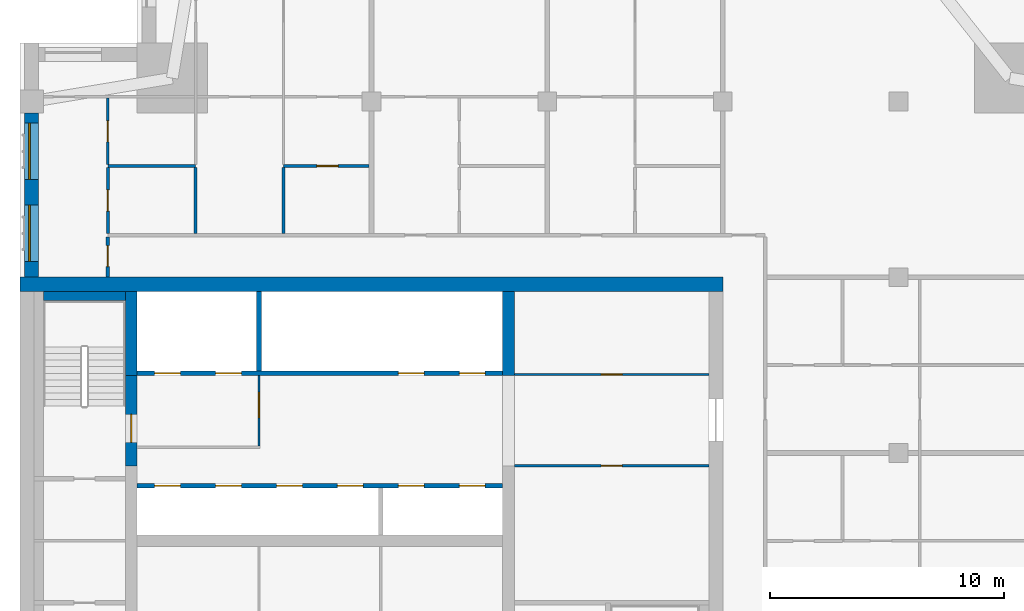
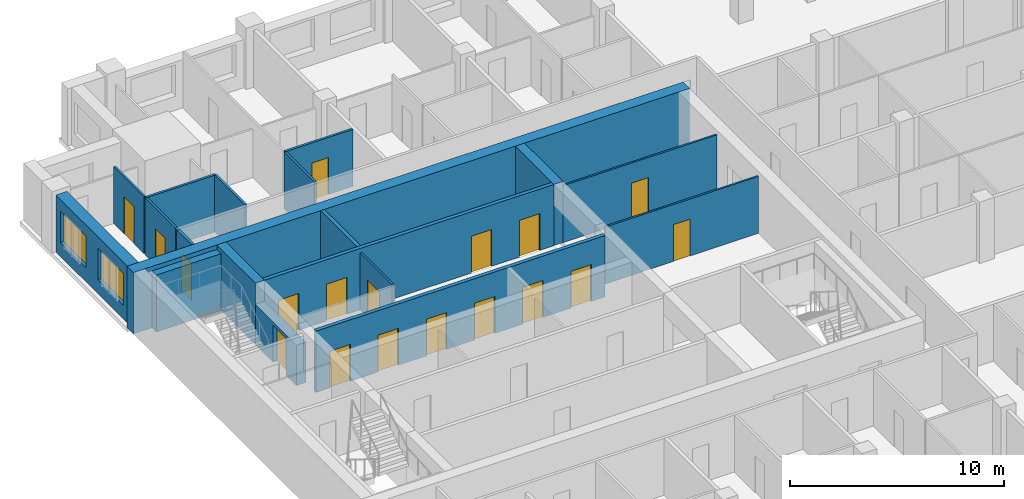
# One storey, part 6 of 11: 19 walls, 18 doors, 2 windows, 20 openings.
"""IFC4 building model written with IfcOpenShell, lengths in metres."""

from ifc_helpers import new_model, si_unit, direction, frame, frame_2d, origin, place, context, subcontext, project, spatial, rectangle, extrude, material, layer, layer_set, type_object, element, fill, save


model = new_model("IFC4")

# Units and contexts
model_context = context("Model", 3, precision=1e-05, world=origin(), true_north=direction((0.0, 1.0)))
body_context = subcontext(model_context, "Body", "Model", "MODEL_VIEW")
ifc_project = project(units=[si_unit("LENGTHUNIT", "METRE"), si_unit("AREAUNIT", "SQUARE_METRE"), si_unit("VOLUMEUNIT", "CUBIC_METRE"), si_unit("PLANEANGLEUNIT", "RADIAN"), si_unit("MASSUNIT", "GRAM", prefix="KILO")], contexts=[model_context])

# Site, building, storey
site_placement = place(None, origin())
site = spatial("IfcSite", under=ifc_project, at=site_placement, CompositionType="ELEMENT")
building_placement = place(site_placement, origin())
building = spatial("IfcBuilding", under=site, at=building_placement, Name="Tamorin Gate", CompositionType="ELEMENT")
storey_placement = place(building_placement, frame((0.0, 0.0, 240.699951171875)))
storey = spatial("IfcBuildingStorey", under=building, at=storey_placement, Name="L60", CompositionType="ELEMENT", Elevation=240.699951171875)

# Wall, openings, windows
ifc_material_1 = material(Name="Precast concrete C40/50", Category="concrete")
ifc_layer_1 = layer(ifc_material_1, 0.60009765625)
ifc_layer_set_1 = layer_set([ifc_layer_1], Name="Precast concrete C40/50")
wall_type_1 = type_object("IfcWallType", Name="Board-marked concrete facade panel 600", PredefinedType="SOLIDWALL", material=ifc_layer_set_1)
wall_1_placement = place(storey_placement, frame((30.5, 89.5, 0.0), z_axis=(0.0, 0.0, 1.0), x_axis=(0.0, -1.0, 0.0)))
wall_1 = element("IfcWall", 1, at=wall_1_placement, inside=storey, type_object=wall_type_1, Name="Facade panel", PredefinedType="SOLIDWALL", context=body_context, shape_type="SweptSolid", body=[
    extrude(rectangle(XDim=7.0, YDim=0.60009765625, at=frame_2d((3.5, 0.0))), origin(), (0.0, 0.0, 1.0), 3.25),
])
opening_1_placement = place(wall_1_placement, frame((3.925048828125, 0.0, 0.800048828125)))
opening_1 = element("IfcOpeningElement", 2, at=opening_1_placement, cuts=wall_1, Name="Opening WN1", PredefinedType="OPENING", context=body_context, shape_type="SweptSolid", body=[
    extrude(rectangle(XDim=2.39990234375, YDim=1.800048828125, at=frame_2d((1.199951171875, 0.89990234375))), frame((0.0, 0.31005859375, 0.0), z_axis=(0.0, -1.0, 0.0), x_axis=(1.0, 0.0, 0.0)), (0.0, 0.0, 1.0), 0.6201171875),
])
opening_2_placement = place(wall_1_placement, frame((0.425048828125, 0.0, 0.800048828125)))
opening_2 = element("IfcOpeningElement", 3, at=opening_2_placement, cuts=wall_1, Name="Opening WN1", PredefinedType="OPENING", context=body_context, shape_type="SweptSolid", body=[
    extrude(rectangle(XDim=2.39990234375, YDim=1.800048828125, at=frame_2d((1.199951171875, 0.89990234375))), frame((0.0, 0.31005859375, 0.0), z_axis=(0.0, -1.0, 0.0), x_axis=(1.0, 0.0, 0.0)), (0.0, 0.0, 1.0), 0.6201171875),
])
ifc_material_2 = material(Name="Clear glass in aluminium frame", Category="aluminium")
window_type = type_object("IfcWindowType", Name="Deep-set window 2400x1800", PartitioningType="SINGLE_PANEL", PredefinedType="WINDOW", material=ifc_material_2)
window_1_placement = place(opening_1_placement, origin())
window_1 = element("IfcWindow", 4, at=window_1_placement, inside=storey, type_object=window_type, Name="Deep-set window", OverallHeight=1.800048828125, OverallWidth=2.39990234375, PartitioningType="SINGLE_PANEL", PredefinedType="WINDOW", context=body_context, shape_type="SweptSolid", body=[
    extrude(rectangle(XDim=2.39990234375, YDim=1.800048828125, at=frame_2d((1.199951171875, 0.89990234375))), frame((0.0, -0.070068359375, 0.0), z_axis=(0.0, -1.0, 0.0), x_axis=(1.0, 0.0, 0.0)), (0.0, 0.0, 1.0), 0.06005859375),
])
fill(opening_1, window_1)
window_2_placement = place(opening_2_placement, origin())
window_2 = element("IfcWindow", 5, at=window_2_placement, inside=storey, type_object=window_type, Name="Deep-set window", OverallHeight=1.800048828125, OverallWidth=2.39990234375, PartitioningType="SINGLE_PANEL", PredefinedType="WINDOW", context=body_context, shape_type="SweptSolid", body=[
    extrude(rectangle(XDim=2.39990234375, YDim=1.800048828125, at=frame_2d((1.199951171875, 0.89990234375))), frame((0.0, -0.070068359375, 0.0), z_axis=(0.0, -1.0, 0.0), x_axis=(1.0, 0.0, 0.0)), (0.0, 0.0, 1.0), 0.06005859375),
])
fill(opening_2, window_2)

# Wall, opening, door
ifc_material_3 = material(Name="Gypsum board partition")
ifc_layer_2 = layer(ifc_material_3, 0.14990234375)
ifc_layer_set_2 = layer_set([ifc_layer_2], Name="Corridor wall 150")
wall_type_2 = type_object("IfcWallType", Name="Corridor wall 150", PredefinedType="PARTITIONING", material=ifc_layer_set_2)
wall_2_placement = place(storey_placement, frame((33.75, 82.5, 0.0), z_axis=(0.0, 0.0, 1.0), x_axis=(0.0, 1.0, 0.0)))
wall_2 = element("IfcWall", 6, at=wall_2_placement, inside=storey, type_object=wall_type_2, Name="Corridor wall 150", PredefinedType="PARTITIONING", context=body_context, shape_type="SweptSolid", body=[
    extrude(rectangle(XDim=1.72509765625, YDim=0.14990234375, at=frame_2d((0.862548828125, 0.0))), origin(), (0.0, 0.0, 1.0), 3.25),
])
opening_3_placement = place(wall_2_placement, frame((0.449951171875, 0.0, 0.0)))
opening_3 = element("IfcOpeningElement", 7, at=opening_3_placement, cuts=wall_2, Name="Opening DR6025", PredefinedType="OPENING", context=body_context, shape_type="SweptSolid", body=[
    extrude(rectangle(XDim=0.89990234375, YDim=2.10009765625, at=frame_2d((0.449951171875, 1.050048828125))), frame((0.0, 0.0849609375, 0.0), z_axis=(0.0, -1.0, 0.0), x_axis=(1.0, 0.0, 0.0)), (0.0, 0.0, 1.0), 0.169921875),
])
ifc_material_4 = material(Name="Timber door leaf", Category="wood")
door_type_1 = type_object("IfcDoorType", Name="Door 900 x 2100 FD30S", OperationType="NOTDEFINED", PredefinedType="DOOR", material=ifc_material_4)
door_1_placement = place(opening_3_placement, origin())
door_1 = element("IfcDoor", 8, at=door_1_placement, inside=storey, type_object=door_type_1, Name="Door DR6025", OperationType="SINGLE_SWING_LEFT", OverallHeight=2.10009765625, OverallWidth=0.89990234375, PredefinedType="DOOR", context=body_context, shape_type="SweptSolid", body=[
    extrude(rectangle(XDim=0.89990234375, YDim=2.10009765625, at=frame_2d((0.449951171875, 1.050048828125))), frame((0.0, 0.02490234375, 0.0), z_axis=(0.0, -1.0, 0.0), x_axis=(1.0, 0.0, 0.0)), (0.0, 0.0, 1.0), 0.050048828125),
])
fill(opening_3, door_1)

# Wall, openings, doors
ifc_material_5 = material(Name="Concrete C32/40", Category="concrete")
ifc_layer_3 = layer(ifc_material_5, 0.199951171875)
ifc_layer_set_3 = layer_set([ifc_layer_3], Name="Lift lobby face wall 200 EI 120")
wall_type_3 = type_object("IfcWallType", Name="Lift lobby face wall 200 EI 120", PredefinedType="SOLIDWALL", material=ifc_layer_set_3)
wall_3_placement = place(storey_placement, frame((35.0, 73.60009765625, 0.0), z_axis=(0.0, 0.0, 1.0), x_axis=(1.0, 0.0, 0.0)))
wall_3 = element("IfcWall", 9, at=wall_3_placement, inside=storey, type_object=wall_type_3, Name="Lift lobby face wall", PredefinedType="SOLIDWALL", context=body_context, shape_type="SweptSolid", body=[
    extrude(rectangle(XDim=15.60009765625, YDim=0.199951171875, at=frame_2d((7.800048828125, 0.0))), origin(), (0.0, 0.0, 1.0), 3.5),
])
opening_4_placement = place(wall_3_placement, frame((0.75, 0.0, 0.0)))
opening_4 = element("IfcOpeningElement", 10, at=opening_4_placement, cuts=wall_3, Name="Opening LD11", PredefinedType="OPENING", context=body_context, shape_type="SweptSolid", body=[
    extrude(rectangle(XDim=1.10009765625, YDim=2.10009765625, at=frame_2d((0.550048828125, 1.050048828125))), frame((0.0, 0.10986328125, 0.0), z_axis=(0.0, -1.0, 0.0), x_axis=(1.0, 0.0, 0.0)), (0.0, 0.0, 1.0), 0.219970703125),
])
opening_5_placement = place(wall_3_placement, frame((3.35009765625, 0.0, 0.0)))
opening_5 = element("IfcOpeningElement", 11, at=opening_5_placement, cuts=wall_3, Name="Opening LD12", PredefinedType="OPENING", context=body_context, shape_type="SweptSolid", body=[
    extrude(rectangle(XDim=1.10009765625, YDim=2.10009765625, at=frame_2d((0.550048828125, 1.050048828125))), frame((0.0, 0.10986328125, 0.0), z_axis=(0.0, -1.0, 0.0), x_axis=(1.0, 0.0, 0.0)), (0.0, 0.0, 1.0), 0.219970703125),
])
opening_6_placement = place(wall_3_placement, frame((5.949951171875, 0.0, 0.0)))
opening_6 = element("IfcOpeningElement", 12, at=opening_6_placement, cuts=wall_3, Name="Opening LD13", PredefinedType="OPENING", context=body_context, shape_type="SweptSolid", body=[
    extrude(rectangle(XDim=1.10009765625, YDim=2.10009765625, at=frame_2d((0.550048828125, 1.050048828125))), frame((0.0, 0.10986328125, 0.0), z_axis=(0.0, -1.0, 0.0), x_axis=(1.0, 0.0, 0.0)), (0.0, 0.0, 1.0), 0.219970703125),
])
opening_7_placement = place(wall_3_placement, frame((8.550048828125, 0.0, 0.0)))
opening_7 = element("IfcOpeningElement", 13, at=opening_7_placement, cuts=wall_3, Name="Opening LD14", PredefinedType="OPENING", context=body_context, shape_type="SweptSolid", body=[
    extrude(rectangle(XDim=1.10009765625, YDim=2.10009765625, at=frame_2d((0.550048828125, 1.050048828125))), frame((0.0, 0.10986328125, 0.0), z_axis=(0.0, -1.0, 0.0), x_axis=(1.0, 0.0, 0.0)), (0.0, 0.0, 1.0), 0.219970703125),
])
opening_8_placement = place(wall_3_placement, frame((11.14990234375, 0.0, 0.0)))
opening_8 = element("IfcOpeningElement", 14, at=opening_8_placement, cuts=wall_3, Name="Opening LD15", PredefinedType="OPENING", context=body_context, shape_type="SweptSolid", body=[
    extrude(rectangle(XDim=1.10009765625, YDim=2.10009765625, at=frame_2d((0.550048828125, 1.050048828125))), frame((0.0, 0.10986328125, 0.0), z_axis=(0.0, -1.0, 0.0), x_axis=(1.0, 0.0, 0.0)), (0.0, 0.0, 1.0), 0.219970703125),
])
opening_9_placement = place(wall_3_placement, frame((13.75, 0.0, 0.0)))
opening_9 = element("IfcOpeningElement", 15, at=opening_9_placement, cuts=wall_3, Name="Opening LD16", PredefinedType="OPENING", context=body_context, shape_type="SweptSolid", body=[
    extrude(rectangle(XDim=1.10009765625, YDim=2.10009765625, at=frame_2d((0.550048828125, 1.050048828125))), frame((0.0, 0.10986328125, 0.0), z_axis=(0.0, -1.0, 0.0), x_axis=(1.0, 0.0, 0.0)), (0.0, 0.0, 1.0), 0.219970703125),
])
ifc_material_6 = material(Name="Stainless steel sliding door", Category="steel")
door_type_2 = type_object("IfcDoorType", Name="Lift landing door 1100 x 2100 E 90", OperationType="DOUBLE_DOOR_SLIDING", PredefinedType="DOOR", material=ifc_material_6)
door_2_placement = place(opening_4_placement, origin())
door_2 = element("IfcDoor", 16, at=door_2_placement, inside=storey, type_object=door_type_2, Name="HR1 landing door", OperationType="DOUBLE_DOOR_SLIDING", OverallHeight=2.10009765625, OverallWidth=1.10009765625, PredefinedType="DOOR", context=body_context, shape_type="SweptSolid", body=[
    extrude(rectangle(XDim=1.10009765625, YDim=2.10009765625, at=frame_2d((0.550048828125, 1.050048828125))), frame((0.0, 0.02490234375, 0.0), z_axis=(0.0, -1.0, 0.0), x_axis=(1.0, 0.0, 0.0)), (0.0, 0.0, 1.0), 0.050048828125),
])
fill(opening_4, door_2)
door_3_placement = place(opening_5_placement, origin())
door_3 = element("IfcDoor", 17, at=door_3_placement, inside=storey, type_object=door_type_2, Name="HR2 landing door", OperationType="DOUBLE_DOOR_SLIDING", OverallHeight=2.10009765625, OverallWidth=1.10009765625, PredefinedType="DOOR", context=body_context, shape_type="SweptSolid", body=[
    extrude(rectangle(XDim=1.10009765625, YDim=2.10009765625, at=frame_2d((0.550048828125, 1.050048828125))), frame((0.0, 0.02490234375, 0.0), z_axis=(0.0, -1.0, 0.0), x_axis=(1.0, 0.0, 0.0)), (0.0, 0.0, 1.0), 0.050048828125),
])
fill(opening_5, door_3)
door_4_placement = place(opening_6_placement, origin())
door_4 = element("IfcDoor", 18, at=door_4_placement, inside=storey, type_object=door_type_2, Name="HR3 landing door", OperationType="DOUBLE_DOOR_SLIDING", OverallHeight=2.10009765625, OverallWidth=1.10009765625, PredefinedType="DOOR", context=body_context, shape_type="SweptSolid", body=[
    extrude(rectangle(XDim=1.10009765625, YDim=2.10009765625, at=frame_2d((0.550048828125, 1.050048828125))), frame((0.0, 0.02490234375, 0.0), z_axis=(0.0, -1.0, 0.0), x_axis=(1.0, 0.0, 0.0)), (0.0, 0.0, 1.0), 0.050048828125),
])
fill(opening_6, door_4)
door_5_placement = place(opening_7_placement, origin())
door_5 = element("IfcDoor", 19, at=door_5_placement, inside=storey, type_object=door_type_2, Name="HR4 landing door", OperationType="DOUBLE_DOOR_SLIDING", OverallHeight=2.10009765625, OverallWidth=1.10009765625, PredefinedType="DOOR", context=body_context, shape_type="SweptSolid", body=[
    extrude(rectangle(XDim=1.10009765625, YDim=2.10009765625, at=frame_2d((0.550048828125, 1.050048828125))), frame((0.0, 0.02490234375, 0.0), z_axis=(0.0, -1.0, 0.0), x_axis=(1.0, 0.0, 0.0)), (0.0, 0.0, 1.0), 0.050048828125),
])
fill(opening_7, door_5)
door_6_placement = place(opening_8_placement, origin())
door_6 = element("IfcDoor", 20, at=door_6_placement, inside=storey, type_object=door_type_2, Name="HR5 landing door", OperationType="DOUBLE_DOOR_SLIDING", OverallHeight=2.10009765625, OverallWidth=1.10009765625, PredefinedType="DOOR", context=body_context, shape_type="SweptSolid", body=[
    extrude(rectangle(XDim=1.10009765625, YDim=2.10009765625, at=frame_2d((0.550048828125, 1.050048828125))), frame((0.0, 0.02490234375, 0.0), z_axis=(0.0, -1.0, 0.0), x_axis=(1.0, 0.0, 0.0)), (0.0, 0.0, 1.0), 0.050048828125),
])
fill(opening_8, door_6)
door_7_placement = place(opening_9_placement, origin())
door_7 = element("IfcDoor", 21, at=door_7_placement, inside=storey, type_object=door_type_2, Name="HR6 landing door", OperationType="DOUBLE_DOOR_SLIDING", OverallHeight=2.10009765625, OverallWidth=1.10009765625, PredefinedType="DOOR", context=body_context, shape_type="SweptSolid", body=[
    extrude(rectangle(XDim=1.10009765625, YDim=2.10009765625, at=frame_2d((0.550048828125, 1.050048828125))), frame((0.0, 0.02490234375, 0.0), z_axis=(0.0, -1.0, 0.0), x_axis=(1.0, 0.0, 0.0)), (0.0, 0.0, 1.0), 0.050048828125),
])
fill(opening_9, door_7)

wall_4_placement = place(storey_placement, frame((35.0, 78.39990234375, 0.0), z_axis=(0.0, 0.0, 1.0), x_axis=(1.0, 0.0, 0.0)))
wall_4 = element("IfcWall", 22, at=wall_4_placement, inside=storey, type_object=wall_type_3, Name="Lift lobby face wall", PredefinedType="SOLIDWALL", context=body_context, shape_type="SweptSolid", body=[
    extrude(rectangle(XDim=15.60009765625, YDim=0.199951171875, at=frame_2d((7.800048828125, 0.0))), origin(), (0.0, 0.0, 1.0), 3.5),
])
opening_10_placement = place(wall_4_placement, frame((0.75, 0.0, 0.0)))
opening_10 = element("IfcOpeningElement", 23, at=opening_10_placement, cuts=wall_4, Name="Opening LD17", PredefinedType="OPENING", context=body_context, shape_type="SweptSolid", body=[
    extrude(rectangle(XDim=1.10009765625, YDim=2.10009765625, at=frame_2d((0.550048828125, 1.050048828125))), frame((0.0, 0.10986328125, 0.0), z_axis=(0.0, -1.0, 0.0), x_axis=(1.0, 0.0, 0.0)), (0.0, 0.0, 1.0), 0.219970703125),
])
opening_11_placement = place(wall_4_placement, frame((3.35009765625, 0.0, 0.0)))
opening_11 = element("IfcOpeningElement", 24, at=opening_11_placement, cuts=wall_4, Name="Opening LD18", PredefinedType="OPENING", context=body_context, shape_type="SweptSolid", body=[
    extrude(rectangle(XDim=1.10009765625, YDim=2.10009765625, at=frame_2d((0.550048828125, 1.050048828125))), frame((0.0, 0.10986328125, 0.0), z_axis=(0.0, -1.0, 0.0), x_axis=(1.0, 0.0, 0.0)), (0.0, 0.0, 1.0), 0.219970703125),
])
opening_12_placement = place(wall_4_placement, frame((11.14990234375, 0.0, 0.0)))
opening_12 = element("IfcOpeningElement", 25, at=opening_12_placement, cuts=wall_4, Name="Opening LD21", PredefinedType="OPENING", context=body_context, shape_type="SweptSolid", body=[
    extrude(rectangle(XDim=1.10009765625, YDim=2.10009765625, at=frame_2d((0.550048828125, 1.050048828125))), frame((0.0, 0.10986328125, 0.0), z_axis=(0.0, -1.0, 0.0), x_axis=(1.0, 0.0, 0.0)), (0.0, 0.0, 1.0), 0.219970703125),
])
opening_13_placement = place(wall_4_placement, frame((13.75, 0.0, 0.0)))
opening_13 = element("IfcOpeningElement", 26, at=opening_13_placement, cuts=wall_4, Name="Opening LD22", PredefinedType="OPENING", context=body_context, shape_type="SweptSolid", body=[
    extrude(rectangle(XDim=1.10009765625, YDim=2.10009765625, at=frame_2d((0.550048828125, 1.050048828125))), frame((0.0, 0.10986328125, 0.0), z_axis=(0.0, -1.0, 0.0), x_axis=(1.0, 0.0, 0.0)), (0.0, 0.0, 1.0), 0.219970703125),
])
door_8_placement = place(opening_10_placement, origin())
door_8 = element("IfcDoor", 27, at=door_8_placement, inside=storey, type_object=door_type_2, Name="FF1 landing door", OperationType="DOUBLE_DOOR_SLIDING", OverallHeight=2.10009765625, OverallWidth=1.10009765625, PredefinedType="DOOR", context=body_context, shape_type="SweptSolid", body=[
    extrude(rectangle(XDim=1.10009765625, YDim=2.10009765625, at=frame_2d((0.550048828125, 1.050048828125))), frame((0.0, 0.02490234375, 0.0), z_axis=(0.0, -1.0, 0.0), x_axis=(1.0, 0.0, 0.0)), (0.0, 0.0, 1.0), 0.050048828125),
])
fill(opening_10, door_8)
door_9_placement = place(opening_11_placement, origin())
door_9 = element("IfcDoor", 28, at=door_9_placement, inside=storey, type_object=door_type_2, Name="FF2 landing door", OperationType="DOUBLE_DOOR_SLIDING", OverallHeight=2.10009765625, OverallWidth=1.10009765625, PredefinedType="DOOR", context=body_context, shape_type="SweptSolid", body=[
    extrude(rectangle(XDim=1.10009765625, YDim=2.10009765625, at=frame_2d((0.550048828125, 1.050048828125))), frame((0.0, 0.02490234375, 0.0), z_axis=(0.0, -1.0, 0.0), x_axis=(1.0, 0.0, 0.0)), (0.0, 0.0, 1.0), 0.050048828125),
])
fill(opening_11, door_9)
door_10_placement = place(opening_12_placement, origin())
door_10 = element("IfcDoor", 29, at=door_10_placement, inside=storey, type_object=door_type_2, Name="SV1 landing door", OperationType="DOUBLE_DOOR_SLIDING", OverallHeight=2.10009765625, OverallWidth=1.10009765625, PredefinedType="DOOR", context=body_context, shape_type="SweptSolid", body=[
    extrude(rectangle(XDim=1.10009765625, YDim=2.10009765625, at=frame_2d((0.550048828125, 1.050048828125))), frame((0.0, 0.02490234375, 0.0), z_axis=(0.0, -1.0, 0.0), x_axis=(1.0, 0.0, 0.0)), (0.0, 0.0, 1.0), 0.050048828125),
])
fill(opening_12, door_10)
door_11_placement = place(opening_13_placement, origin())
door_11 = element("IfcDoor", 30, at=door_11_placement, inside=storey, type_object=door_type_2, Name="SV2 landing door", OperationType="DOUBLE_DOOR_SLIDING", OverallHeight=2.10009765625, OverallWidth=1.10009765625, PredefinedType="DOOR", context=body_context, shape_type="SweptSolid", body=[
    extrude(rectangle(XDim=1.10009765625, YDim=2.10009765625, at=frame_2d((0.550048828125, 1.050048828125))), frame((0.0, 0.02490234375, 0.0), z_axis=(0.0, -1.0, 0.0), x_axis=(1.0, 0.0, 0.0)), (0.0, 0.0, 1.0), 0.050048828125),
])
fill(opening_13, door_11)

# Wall
ifc_layer_4 = layer(ifc_material_5, 0.199951171875)
ifc_layer_set_4 = layer_set([ifc_layer_4], Name="Lift shaft wall 200 EI 120")
wall_type_4 = type_object("IfcWallType", Name="Lift shaft wall 200 EI 120", PredefinedType="SOLIDWALL", material=ifc_layer_set_4)
wall_5_placement = place(storey_placement, frame((40.199951171875, 78.5, 0.0), z_axis=(0.0, 0.0, 1.0), x_axis=(0.0, 1.0, 0.0)))
element("IfcWall", 31, at=wall_5_placement, inside=storey, type_object=wall_type_4, Name="Lift shaft wall", PredefinedType="SOLIDWALL", context=body_context, shape_type="SweptSolid", body=[
    extrude(rectangle(XDim=3.39990234375, YDim=0.199951171875, at=frame_2d((1.699951171875, 0.0))), origin(), (0.0, 0.0, 1.0), 3.5),
])

# Wall, opening, door
ifc_material_7 = material(Name="Fire-rated gypsum board partition")
ifc_layer_5 = layer(ifc_material_7, 0.10009765625)
ifc_layer_set_5 = layer_set([ifc_layer_5], Name="Lobby wall 100 EI 60")
wall_type_5 = type_object("IfcWallType", Name="Lobby wall 100 EI 60", PredefinedType="PARTITIONING", material=ifc_layer_set_5)
wall_6_placement = place(storey_placement, frame((40.199951171875, 75.300048828125, 0.0), z_axis=(0.0, 0.0, 1.0), x_axis=(0.0, 1.0, 0.0)))
wall_6 = element("IfcWall", 32, at=wall_6_placement, inside=storey, type_object=wall_type_5, Name="Firefighting lobby wall", PredefinedType="PARTITIONING", context=body_context, shape_type="SweptSolid", body=[
    extrude(rectangle(XDim=3.0, YDim=0.10009765625, at=frame_2d((1.5, 0.0))), origin(), (0.0, 0.0, 1.0), 3.25),
])
opening_14_placement = place(wall_6_placement, frame((1.199951171875, 0.0, 0.0)))
opening_14 = element("IfcOpeningElement", 33, at=opening_14_placement, cuts=wall_6, Name="Opening DF1", PredefinedType="OPENING", context=body_context, shape_type="SweptSolid", body=[
    extrude(rectangle(XDim=1.10009765625, YDim=2.10009765625, at=frame_2d((0.550048828125, 1.050048828125))), frame((0.0, 0.06005859375, 0.0), z_axis=(0.0, -1.0, 0.0), x_axis=(1.0, 0.0, 0.0)), (0.0, 0.0, 1.0), 0.1201171875),
])
ifc_material_8 = material(Name="Steel fire door", Category="steel")
door_type_3 = type_object("IfcDoorType", Name="Firefighting lobby door 1100 x 2100 EI 90", OperationType="SINGLE_SWING_LEFT", PredefinedType="DOOR", material=ifc_material_8)
door_12_placement = place(opening_14_placement, origin())
door_12 = element("IfcDoor", 34, at=door_12_placement, inside=storey, type_object=door_type_3, Name="Firefighting lobby door", OperationType="SINGLE_SWING_LEFT", OverallHeight=2.10009765625, OverallWidth=1.10009765625, PredefinedType="DOOR", context=body_context, shape_type="SweptSolid", body=[
    extrude(rectangle(XDim=1.10009765625, YDim=2.10009765625, at=frame_2d((0.550048828125, 1.050048828125))), frame((0.0, 0.02490234375, 0.0), z_axis=(0.0, -1.0, 0.0), x_axis=(1.0, 0.0, 0.0)), (0.0, 0.0, 1.0), 0.050048828125),
])
fill(opening_14, door_12)

# Walls
ifc_material_9 = material(Name="Concrete C50/60", Category="concrete")
ifc_layer_6 = layer(ifc_material_9, 0.5)
ifc_layer_set_6 = layer_set([ifc_layer_6], Name="RC core internal wall 500 C50/60")
wall_type_6 = type_object("IfcWallType", Name="RC core internal wall 500 C50/60", PredefinedType="SHEAR", material=ifc_layer_set_6)
for number, where, z_axis, x_axis, name in (
    (35, (34.75, 78.300048828125, 0.0), (0.0, 0.0, 1.0), (0.0, 1.0, 0.0), "Core cross wall L60"),
    (36, (50.85009765625, 78.300048828125, 0.0), (0.0, 0.0, 1.0), (0.0, 1.0, 0.0), "Core cross wall L60"),
):
    element("IfcWall", number, at=place(storey_placement, frame(where, z_axis=z_axis, x_axis=x_axis)), inside=storey, type_object=wall_type_6, Name=name, PredefinedType="SHEAR", context=body_context, shape_type="SweptSolid", body=[
        extrude(rectangle(XDim=3.599853515625, YDim=0.5, at=frame_2d((1.7998046875, 0.0))), origin(), (0.0, 0.0, 1.0), 3.5),
    ])
ifc_layer_7 = layer(ifc_material_9, 0.60009765625)
ifc_layer_set_7 = layer_set([ifc_layer_7], Name="RC core wall 600 C50/60")
wall_type_7 = type_object("IfcWallType", Name="RC core wall 600 C50/60", PredefinedType="SHEAR", material=ifc_layer_set_7)
wall_7_placement = place(storey_placement, frame((30.0, 82.199951171875, 0.0), z_axis=(0.0, 0.0, 1.0), x_axis=(1.0, 0.0, 0.0)))
element("IfcWall", 37, at=wall_7_placement, inside=storey, type_object=wall_type_7, Name="Core wall L60", PredefinedType="SHEAR", context=body_context, shape_type="SweptSolid", body=[
    extrude(rectangle(XDim=30.0, YDim=0.60009765625, at=frame_2d((15.0, 0.0))), origin(), (0.0, 0.0, 1.0), 3.5),
])

# Wall, opening, door
ifc_layer_8 = layer(ifc_material_3, 0.10009765625)
ifc_layer_set_8 = layer_set([ifc_layer_8], Name="Room partition 100")
wall_type_8 = type_object("IfcWallType", Name="Room partition 100", PredefinedType="PARTITIONING", material=ifc_layer_set_8)
wall_8_placement = place(storey_placement, frame((33.75, 87.3125, 0.0), z_axis=(0.0, 0.0, 1.0), x_axis=(0.0, 1.0, 0.0)))
wall_8 = element("IfcWall", 38, at=wall_8_placement, inside=storey, type_object=wall_type_8, Name="Room partition 100", PredefinedType="PARTITIONING", context=body_context, shape_type="SweptSolid", body=[
    extrude(rectangle(XDim=2.83740234375, YDim=0.10009765625, at=frame_2d((1.418701171875, 0.0))), origin(), (0.0, 0.0, 1.0), 3.25),
])
opening_15_placement = place(wall_8_placement, frame((0.96240234375, 0.0, 0.0)))
opening_15 = element("IfcOpeningElement", 39, at=opening_15_placement, cuts=wall_8, Name="Opening DR6027", PredefinedType="OPENING", context=body_context, shape_type="SweptSolid", body=[
    extrude(rectangle(XDim=0.89990234375, YDim=2.10009765625, at=frame_2d((0.449951171875, 1.050048828125))), frame((0.0, 0.06005859375, 0.0), z_axis=(0.0, -1.0, 0.0), x_axis=(1.0, 0.0, 0.0)), (0.0, 0.0, 1.0), 0.1201171875),
])
door_type_4 = type_object("IfcDoorType", Name="Door 900 x 2100", OperationType="NOTDEFINED", PredefinedType="DOOR", material=ifc_material_4)
door_13_placement = place(opening_15_placement, origin())
door_13 = element("IfcDoor", 40, at=door_13_placement, inside=storey, type_object=door_type_4, Name="Door DR6027", OperationType="SINGLE_SWING_RIGHT", OverallHeight=2.10009765625, OverallWidth=0.89990234375, PredefinedType="DOOR", context=body_context, shape_type="SweptSolid", body=[
    extrude(rectangle(XDim=0.89990234375, YDim=2.10009765625, at=frame_2d((0.449951171875, 1.050048828125))), frame((0.0, 0.02490234375, 0.0), z_axis=(0.0, -1.0, 0.0), x_axis=(1.0, 0.0, 0.0)), (0.0, 0.0, 1.0), 0.050048828125),
])
fill(opening_15, door_13)

ifc_layer_9 = layer(ifc_material_3, 0.10009765625)
ifc_layer_set_9 = layer_set([ifc_layer_9], Name="Service room partition 100 EI 60")
wall_type_9 = type_object("IfcWallType", Name="Service room partition 100 EI 60", PredefinedType="PARTITIONING", material=ifc_layer_set_9)
wall_9_placement = place(storey_placement, frame((51.10009765625, 74.449951171875, 0.0), z_axis=(0.0, 0.0, 1.0), x_axis=(1.0, 0.0, 0.0)))
wall_9 = element("IfcWall", 41, at=wall_9_placement, inside=storey, type_object=wall_type_9, Name="Service room wall", PredefinedType="PARTITIONING", context=body_context, shape_type="SweptSolid", body=[
    extrude(rectangle(XDim=8.2998046875, YDim=0.10009765625, at=frame_2d((4.14990234375, 0.0))), origin(), (0.0, 0.0, 1.0), 3.25),
])
opening_16_placement = place(wall_9_placement, frame((3.699951171875, 0.0, 0.0)))
opening_16 = element("IfcOpeningElement", 42, at=opening_16_placement, cuts=wall_9, Name="Opening DR1", PredefinedType="OPENING", context=body_context, shape_type="SweptSolid", body=[
    extrude(rectangle(XDim=0.89990234375, YDim=2.10009765625, at=frame_2d((0.449951171875, 1.050048828125))), frame((0.0, 0.06005859375, 0.0), z_axis=(0.0, -1.0, 0.0), x_axis=(1.0, 0.0, 0.0)), (0.0, 0.0, 1.0), 0.1201171875),
])
door_type_5 = type_object("IfcDoorType", Name="Riser access door 900 x 2100 EI 120", OperationType="SINGLE_SWING_LEFT", PredefinedType="DOOR", material=ifc_material_8)
door_14_placement = place(opening_16_placement, origin())
door_14 = element("IfcDoor", 43, at=door_14_placement, inside=storey, type_object=door_type_5, Name="Duct riser door", OperationType="SINGLE_SWING_RIGHT", OverallHeight=2.10009765625, OverallWidth=0.89990234375, PredefinedType="DOOR", context=body_context, shape_type="SweptSolid", body=[
    extrude(rectangle(XDim=0.89990234375, YDim=2.10009765625, at=frame_2d((0.449951171875, 1.050048828125))), frame((0.0, 0.02490234375, 0.0), z_axis=(0.0, -1.0, 0.0), x_axis=(1.0, 0.0, 0.0)), (0.0, 0.0, 1.0), 0.050048828125),
])
fill(opening_16, door_14)

wall_10_placement = place(storey_placement, frame((51.10009765625, 78.35009765625, 0.0), z_axis=(0.0, 0.0, 1.0), x_axis=(1.0, 0.0, 0.0)))
wall_10 = element("IfcWall", 44, at=wall_10_placement, inside=storey, type_object=wall_type_9, Name="Service room wall", PredefinedType="PARTITIONING", context=body_context, shape_type="SweptSolid", body=[
    extrude(rectangle(XDim=8.2998046875, YDim=0.10009765625, at=frame_2d((4.14990234375, 0.0))), origin(), (0.0, 0.0, 1.0), 3.25),
])
opening_17_placement = place(wall_10_placement, frame((3.699951171875, 0.0, 0.0)))
opening_17 = element("IfcOpeningElement", 45, at=opening_17_placement, cuts=wall_10, Name="Opening DK1", PredefinedType="OPENING", context=body_context, shape_type="SweptSolid", body=[
    extrude(rectangle(XDim=0.89990234375, YDim=2.10009765625, at=frame_2d((0.449951171875, 1.050048828125))), frame((0.0, 0.06005859375, 0.0), z_axis=(0.0, -1.0, 0.0), x_axis=(1.0, 0.0, 0.0)), (0.0, 0.0, 1.0), 0.1201171875),
])
ifc_material_10 = material(Name="Timber fire door", Category="wood")
door_type_6 = type_object("IfcDoorType", Name="Service room door 900 x 2100 EI 60", OperationType="SINGLE_SWING_LEFT", PredefinedType="DOOR", material=ifc_material_10)
door_15_placement = place(opening_17_placement, origin())
door_15 = element("IfcDoor", 46, at=door_15_placement, inside=storey, type_object=door_type_6, Name="Door Housekeeping office", OperationType="SINGLE_SWING_RIGHT", OverallHeight=2.10009765625, OverallWidth=0.89990234375, PredefinedType="DOOR", context=body_context, shape_type="SweptSolid", body=[
    extrude(rectangle(XDim=0.89990234375, YDim=2.10009765625, at=frame_2d((0.449951171875, 1.050048828125))), frame((0.0, 0.02490234375, 0.0), z_axis=(0.0, -1.0, 0.0), x_axis=(1.0, 0.0, 0.0)), (0.0, 0.0, 1.0), 0.050048828125),
])
fill(opening_17, door_15)

# Wall
ifc_layer_10 = layer(ifc_material_9, 0.39990234375)
ifc_layer_set_10 = layer_set([ifc_layer_10], Name="Stair lining wall 400 EI 120 C50/60")
wall_type_10 = type_object("IfcWallType", Name="Stair lining wall 400 EI 120 C50/60", PredefinedType="SOLIDWALL", material=ifc_layer_set_10)
wall_11_placement = place(storey_placement, frame((31.0, 81.699951171875, 0.0), z_axis=(0.0, 0.0, 1.0), x_axis=(1.0, 0.0, 0.0)))
element("IfcWall", 47, at=wall_11_placement, inside=storey, type_object=wall_type_10, Name="Stair lining wall", PredefinedType="SOLIDWALL", context=body_context, shape_type="SweptSolid", body=[
    extrude(rectangle(XDim=3.5, YDim=0.39990234375, at=frame_2d((1.75, 0.0))), origin(), (0.0, 0.0, 1.0), 3.25),
])

# Wall, opening, door
ifc_layer_11 = layer(ifc_material_5, 0.5)
ifc_layer_set_11 = layer_set([ifc_layer_11], Name="Stair lobby infill wall 500 EI 120")
wall_type_11 = type_object("IfcWallType", Name="Stair lobby infill wall 500 EI 120", PredefinedType="SOLIDWALL", material=ifc_layer_set_11)
wall_12_placement = place(storey_placement, frame((34.75, 74.449951171875, 0.0), z_axis=(0.0, 0.0, 1.0), x_axis=(0.0, 1.0, 0.0)))
wall_12 = element("IfcWall", 48, at=wall_12_placement, inside=storey, type_object=wall_type_11, Name="Stair lobby infill wall", PredefinedType="SOLIDWALL", context=body_context, shape_type="SweptSolid", body=[
    extrude(rectangle(XDim=3.85009765625, YDim=0.5, at=frame_2d((1.925048828125, 0.0))), origin(), (0.0, 0.0, 1.0), 2.300048828125),
])
opening_18_placement = place(wall_12_placement, frame((1.0, 0.0, 0.0)))
opening_18 = element("IfcOpeningElement", 49, at=opening_18_placement, cuts=wall_12, Name="Opening DS1", PredefinedType="OPENING", context=body_context, shape_type="SweptSolid", body=[
    extrude(rectangle(XDim=1.199951171875, YDim=2.10009765625, at=frame_2d((0.60009765625, 1.050048828125))), frame((0.0, 0.260009765625, 0.0), z_axis=(0.0, -1.0, 0.0), x_axis=(1.0, 0.0, 0.0)), (0.0, 0.0, 1.0), 0.52001953125),
])
door_type_7 = type_object("IfcDoorType", Name="Stair door 1200 x 2100 EI 90", OperationType="SINGLE_SWING_LEFT", PredefinedType="DOOR", material=ifc_material_8)
door_16_placement = place(opening_18_placement, origin())
door_16 = element("IfcDoor", 50, at=door_16_placement, inside=storey, type_object=door_type_7, Name="ST2 door", OperationType="SINGLE_SWING_RIGHT", OverallHeight=2.10009765625, OverallWidth=1.199951171875, PredefinedType="DOOR", context=body_context, shape_type="SweptSolid", body=[
    extrude(rectangle(XDim=1.199951171875, YDim=2.10009765625, at=frame_2d((0.60009765625, 1.050048828125))), frame((0.0, 0.02490234375, 0.0), z_axis=(0.0, -1.0, 0.0), x_axis=(1.0, 0.0, 0.0)), (0.0, 0.0, 1.0), 0.050048828125),
])
fill(opening_18, door_16)

# Wall
ifc_layer_12 = layer(ifc_material_3, 0.125)
ifc_layer_set_12 = layer_set([ifc_layer_12], Name="Wet wall 125")
wall_type_12 = type_object("IfcWallType", Name="Wet wall 125", PredefinedType="PARTITIONING", material=ifc_layer_set_12)
wall_13_placement = place(storey_placement, frame((33.75, 87.25, 0.0), z_axis=(0.0, 0.0, 1.0), x_axis=(1.0, 0.0, 0.0)))
element("IfcWall", 51, at=wall_13_placement, inside=storey, type_object=wall_type_12, Name="Wet wall 125", PredefinedType="PARTITIONING", context=body_context, shape_type="SweptSolid", body=[
    extrude(rectangle(XDim=3.75, YDim=0.125, at=frame_2d((1.875, 0.0))), origin(), (0.0, 0.0, 1.0), 3.25),
])

# Wall, opening, door
wall_14_placement = place(storey_placement, frame((41.25, 87.25, 0.0), z_axis=(0.0, 0.0, 1.0), x_axis=(1.0, 0.0, 0.0)))
wall_14 = element("IfcWall", 52, at=wall_14_placement, inside=storey, type_object=wall_type_12, Name="Wet wall 125", PredefinedType="PARTITIONING", context=body_context, shape_type="SweptSolid", body=[
    extrude(rectangle(XDim=3.64990234375, YDim=0.125, at=frame_2d((1.824951171875, 0.0))), origin(), (0.0, 0.0, 1.0), 3.25),
])
opening_19_placement = place(wall_14_placement, frame((1.425048828125, 0.0, 0.0)))
opening_19 = element("IfcOpeningElement", 53, at=opening_19_placement, cuts=wall_14, Name="Opening DR6031", PredefinedType="OPENING", context=body_context, shape_type="SweptSolid", body=[
    extrude(rectangle(XDim=0.89990234375, YDim=2.10009765625, at=frame_2d((0.449951171875, 1.050048828125))), frame((0.0, 0.072509765625, 0.0), z_axis=(0.0, -1.0, 0.0), x_axis=(1.0, 0.0, 0.0)), (0.0, 0.0, 1.0), 0.14501953125),
])
door_17_placement = place(opening_19_placement, origin())
door_17 = element("IfcDoor", 54, at=door_17_placement, inside=storey, type_object=door_type_4, Name="Door DR6031", OperationType="SINGLE_SWING_RIGHT", OverallHeight=2.10009765625, OverallWidth=0.89990234375, PredefinedType="DOOR", context=body_context, shape_type="SweptSolid", body=[
    extrude(rectangle(XDim=0.89990234375, YDim=2.10009765625, at=frame_2d((0.449951171875, 1.050048828125))), frame((0.0, 0.02490234375, 0.0), z_axis=(0.0, -1.0, 0.0), x_axis=(1.0, 0.0, 0.0)), (0.0, 0.0, 1.0), 0.050048828125),
])
fill(opening_19, door_17)

wall_15_placement = place(storey_placement, frame((33.75, 84.375, 0.0), z_axis=(0.0, 0.0, 1.0), x_axis=(0.0, 1.0, 0.0)))
wall_15 = element("IfcWall", 55, at=wall_15_placement, inside=storey, type_object=wall_type_12, Name="Wet wall 125", PredefinedType="PARTITIONING", context=body_context, shape_type="SweptSolid", body=[
    extrude(rectangle(XDim=2.8125, YDim=0.125, at=frame_2d((1.40625, 0.0))), origin(), (0.0, 0.0, 1.0), 3.25),
])
opening_20_placement = place(wall_15_placement, frame((0.949951171875, 0.0, 0.0)))
opening_20 = element("IfcOpeningElement", 56, at=opening_20_placement, cuts=wall_15, Name="Opening DR6028", PredefinedType="OPENING", context=body_context, shape_type="SweptSolid", body=[
    extrude(rectangle(XDim=0.89990234375, YDim=2.10009765625, at=frame_2d((0.449951171875, 1.050048828125))), frame((0.0, 0.072509765625, 0.0), z_axis=(0.0, -1.0, 0.0), x_axis=(1.0, 0.0, 0.0)), (0.0, 0.0, 1.0), 0.14501953125),
])
door_18_placement = place(opening_20_placement, origin())
door_18 = element("IfcDoor", 57, at=door_18_placement, inside=storey, type_object=door_type_4, Name="Door DR6028", OperationType="SINGLE_SWING_RIGHT", OverallHeight=2.10009765625, OverallWidth=0.89990234375, PredefinedType="DOOR", context=body_context, shape_type="SweptSolid", body=[
    extrude(rectangle(XDim=0.89990234375, YDim=2.10009765625, at=frame_2d((0.449951171875, 1.050048828125))), frame((0.0, 0.02490234375, 0.0), z_axis=(0.0, -1.0, 0.0), x_axis=(1.0, 0.0, 0.0)), (0.0, 0.0, 1.0), 0.050048828125),
])
fill(opening_20, door_18)

# Walls
for number, where, z_axis, x_axis, name in (
    (58, (37.5, 84.375, 0.0), (0.0, 0.0, 1.0), (0.0, 1.0, 0.0), "Wet wall 125"),
    (59, (41.25, 84.375, 0.0), (0.0, 0.0, 1.0), (0.0, 1.0, 0.0), "Wet wall 125"),
):
    element("IfcWall", number, at=place(storey_placement, frame(where, z_axis=z_axis, x_axis=x_axis)), inside=storey, type_object=wall_type_12, Name=name, PredefinedType="PARTITIONING", context=body_context, shape_type="SweptSolid", body=[
        extrude(rectangle(XDim=2.8125, YDim=0.125, at=frame_2d((1.40625, 0.0))), origin(), (0.0, 0.0, 1.0), 3.25),
    ])

save(model, "model.ifc")
